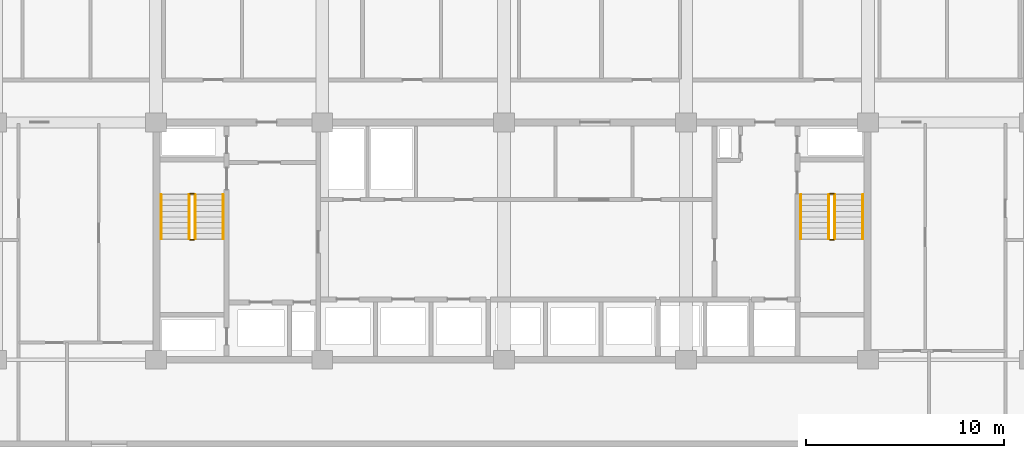
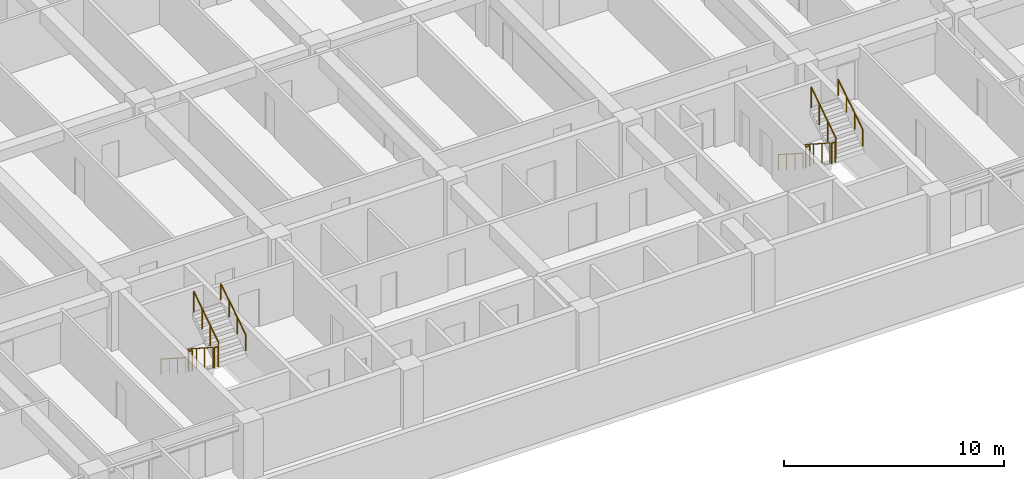
# One storey, part 22 of 23: 12 railings.
"""IFC4 building model written with IfcOpenShell, lengths in metres."""

from ifc_helpers import new_model, si_unit, direction, frame, origin, origin_2d, place, context, subcontext, project, spatial, circle, extrude, material, type_object, element, save


model = new_model("IFC4")

# Units and contexts
model_context = context("Model", 3, precision=1e-05, world=origin(), true_north=direction((0.0, 1.0)))
body_context = subcontext(model_context, "Body", "Model", "MODEL_VIEW")
ifc_project = project(units=[si_unit("LENGTHUNIT", "METRE"), si_unit("AREAUNIT", "SQUARE_METRE"), si_unit("VOLUMEUNIT", "CUBIC_METRE"), si_unit("PLANEANGLEUNIT", "RADIAN"), si_unit("MASSUNIT", "GRAM", prefix="KILO")], contexts=[model_context])

# Site, building, storey
site_placement = place(None, origin())
site = spatial("IfcSite", under=ifc_project, at=site_placement, CompositionType="ELEMENT")
building_placement = place(site_placement, origin())
building = spatial("IfcBuilding", under=site, at=building_placement, Name="Korimba Cascade Residences", CompositionType="ELEMENT")
storey_placement = place(building_placement, frame((0.0, 0.0, 27.25)))
storey = spatial("IfcBuildingStorey", under=building, at=storey_placement, Name="L06", CompositionType="ELEMENT", Elevation=27.25)

# Railings
ifc_material_1 = material(Name="Painted Steel Stairwell Guardrail", Category="steel")
railing_type_1 = type_object("IfcRailingType", Name="RLG-ST-GD1150", PredefinedType="GUARDRAIL", material=ifc_material_1)
railing_1_placement = place(storey_placement, frame((77.77001953125, 63.550048828125, 0.1806640625)))
element("IfcRailing", 1, at=railing_1_placement, inside=storey, type_object=railing_type_1, Name="L06 ST-W1 stair guard 1", PredefinedType="GUARDRAIL", context=body_context, shape_type="SweptSolid", body=[
    extrude(circle(Radius=0.02392578125, at=origin_2d()), frame((0.0, 0.0, 1.1259765625), z_axis=(0.0, -0.840436612492, 0.541909863706), x_axis=(1.0, 0.0, 0.0)), (0.0, 0.0, 1.0), 2.665283203125),
    extrude(circle(Radius=0.02099609375, at=origin_2d()), origin(), (0.0, 0.0, 1.0), 1.101806640625),
    extrude(circle(Radius=0.02099609375, at=origin_2d()), frame((0.0, -0.74658203125, 0.4814453125)), (0.0, 0.0, 1.0), 1.101806640625),
    extrude(circle(Radius=0.02099609375, at=origin_2d()), frame((0.0, -1.493408203125, 0.962890625)), (0.0, 0.0, 1.0), 1.101806640625),
    extrude(circle(Radius=0.02099609375, at=origin_2d()), frame((0.0, -2.239990234375, 1.4443359375)), (0.0, 0.0, 1.0), 1.101806640625),
])
railing_2_placement = place(storey_placement, frame((77.820068359375, 61.260009765625, 1.625)))
element("IfcRailing", 2, at=railing_2_placement, inside=storey, type_object=railing_type_1, Name="L06 ST-W1 stair guard 2", PredefinedType="GUARDRAIL", context=body_context, shape_type="SweptSolid", body=[
    extrude(circle(Radius=0.02392578125, at=origin_2d()), frame((0.0, 0.0, 1.1259765625), z_axis=(1.0, 0.0, 0.0), x_axis=(0.0, 1.0, 0.0)), (0.0, 0.0, 1.0), 0.199951171875),
    extrude(circle(Radius=0.02099609375, at=origin_2d()), origin(), (0.0, 0.0, 1.0), 1.101806640625),
    extrude(circle(Radius=0.02099609375, at=origin_2d()), frame((0.199951171875, 0.0, 0.0)), (0.0, 0.0, 1.0), 1.101806640625),
])
railing_3_placement = place(storey_placement, frame((78.070068359375, 61.31005859375, 1.8056640625)))
element("IfcRailing", 3, at=railing_3_placement, inside=storey, type_object=railing_type_1, Name="L06 ST-W1 stair guard 3", PredefinedType="GUARDRAIL", context=body_context, shape_type="SweptSolid", body=[
    extrude(circle(Radius=0.02392578125, at=origin_2d()), frame((0.0, 0.0, 1.1259765625), z_axis=(0.0, 0.840436612492, 0.541909863706), x_axis=(-1.0, 0.0, 0.0)), (0.0, 0.0, 1.0), 2.665283203125),
    extrude(circle(Radius=0.02099609375, at=origin_2d()), origin(), (0.0, 0.0, 1.0), 1.101806640625),
    extrude(circle(Radius=0.02099609375, at=origin_2d()), frame((0.0, 0.74658203125, 0.4814453125)), (0.0, 0.0, 1.0), 1.101806640625),
    extrude(circle(Radius=0.02099609375, at=origin_2d()), frame((0.0, 1.493408203125, 0.962890625)), (0.0, 0.0, 1.0), 1.101806640625),
    extrude(circle(Radius=0.02099609375, at=origin_2d()), frame((0.0, 2.239990234375, 1.4443359375)), (0.0, 0.0, 1.0), 1.101806640625),
])
railing_4_placement = place(storey_placement, frame((77.820068359375, 63.60009765625, 0.0)))
element("IfcRailing", 4, at=railing_4_placement, inside=storey, type_object=railing_type_1, Name="L06 ST-W1 stair guard 4", PredefinedType="GUARDRAIL", context=body_context, shape_type="SweptSolid", body=[
    extrude(circle(Radius=0.02392578125, at=origin_2d()), frame((0.0, 0.0, 1.1259765625), z_axis=(1.0, 0.0, 0.0), x_axis=(0.0, 1.0, 0.0)), (0.0, 0.0, 1.0), 0.199951171875),
    extrude(circle(Radius=0.02099609375, at=origin_2d()), origin(), (0.0, 0.0, 1.0), 1.101806640625),
    extrude(circle(Radius=0.02099609375, at=origin_2d()), frame((0.199951171875, 0.0, 0.0)), (0.0, 0.0, 1.0), 1.101806640625),
])
railing_5_placement = place(storey_placement, frame((110.1298828125, 63.550048828125, 0.1806640625)))
element("IfcRailing", 5, at=railing_5_placement, inside=storey, type_object=railing_type_1, Name="L06 ST-W2 stair guard 1", PredefinedType="GUARDRAIL", context=body_context, shape_type="SweptSolid", body=[
    extrude(circle(Radius=0.02392578125, at=origin_2d()), frame((0.0, 0.0, 1.1259765625), z_axis=(0.0, -0.840436612492, 0.541909863706), x_axis=(1.0, 0.0, 0.0)), (0.0, 0.0, 1.0), 2.665283203125),
    extrude(circle(Radius=0.02099609375, at=origin_2d()), origin(), (0.0, 0.0, 1.0), 1.101806640625),
    extrude(circle(Radius=0.02099609375, at=origin_2d()), frame((0.0, -0.74658203125, 0.4814453125)), (0.0, 0.0, 1.0), 1.101806640625),
    extrude(circle(Radius=0.02099609375, at=origin_2d()), frame((0.0, -1.493408203125, 0.962890625)), (0.0, 0.0, 1.0), 1.101806640625),
    extrude(circle(Radius=0.02099609375, at=origin_2d()), frame((0.0, -2.239990234375, 1.4443359375)), (0.0, 0.0, 1.0), 1.101806640625),
])
railing_6_placement = place(storey_placement, frame((110.179931640625, 61.260009765625, 1.625)))
element("IfcRailing", 6, at=railing_6_placement, inside=storey, type_object=railing_type_1, Name="L06 ST-W2 stair guard 2", PredefinedType="GUARDRAIL", context=body_context, shape_type="SweptSolid", body=[
    extrude(circle(Radius=0.02392578125, at=origin_2d()), frame((0.0, 0.0, 1.1259765625), z_axis=(1.0, 0.0, 0.0), x_axis=(0.0, 1.0, 0.0)), (0.0, 0.0, 1.0), 0.199951171875),
    extrude(circle(Radius=0.02099609375, at=origin_2d()), origin(), (0.0, 0.0, 1.0), 1.101806640625),
    extrude(circle(Radius=0.02099609375, at=origin_2d()), frame((0.199951171875, 0.0, 0.0)), (0.0, 0.0, 1.0), 1.101806640625),
])
railing_7_placement = place(storey_placement, frame((110.429931640625, 61.31005859375, 1.8056640625)))
element("IfcRailing", 7, at=railing_7_placement, inside=storey, type_object=railing_type_1, Name="L06 ST-W2 stair guard 3", PredefinedType="GUARDRAIL", context=body_context, shape_type="SweptSolid", body=[
    extrude(circle(Radius=0.02392578125, at=origin_2d()), frame((0.0, 0.0, 1.1259765625), z_axis=(0.0, 0.840436612492, 0.541909863706), x_axis=(-1.0, 0.0, 0.0)), (0.0, 0.0, 1.0), 2.665283203125),
    extrude(circle(Radius=0.02099609375, at=origin_2d()), origin(), (0.0, 0.0, 1.0), 1.101806640625),
    extrude(circle(Radius=0.02099609375, at=origin_2d()), frame((0.0, 0.74658203125, 0.4814453125)), (0.0, 0.0, 1.0), 1.101806640625),
    extrude(circle(Radius=0.02099609375, at=origin_2d()), frame((0.0, 1.493408203125, 0.962890625)), (0.0, 0.0, 1.0), 1.101806640625),
    extrude(circle(Radius=0.02099609375, at=origin_2d()), frame((0.0, 2.239990234375, 1.4443359375)), (0.0, 0.0, 1.0), 1.101806640625),
])
railing_8_placement = place(storey_placement, frame((110.179931640625, 63.60009765625, 0.0)))
element("IfcRailing", 8, at=railing_8_placement, inside=storey, type_object=railing_type_1, Name="L06 ST-W2 stair guard 4", PredefinedType="GUARDRAIL", context=body_context, shape_type="SweptSolid", body=[
    extrude(circle(Radius=0.02392578125, at=origin_2d()), frame((0.0, 0.0, 1.1259765625), z_axis=(1.0, 0.0, 0.0), x_axis=(0.0, 1.0, 0.0)), (0.0, 0.0, 1.0), 0.199951171875),
    extrude(circle(Radius=0.02099609375, at=origin_2d()), origin(), (0.0, 0.0, 1.0), 1.101806640625),
    extrude(circle(Radius=0.02099609375, at=origin_2d()), frame((0.199951171875, 0.0, 0.0)), (0.0, 0.0, 1.0), 1.101806640625),
])
ifc_material_2 = material(Name="Brushed Stainless Steel Handrail", Category="steel")
railing_type_2 = type_object("IfcRailingType", Name="RLG-ST-HR900", PredefinedType="HANDRAIL", material=ifc_material_2)
railing_9_placement = place(storey_placement, frame((76.35009765625, 63.550048828125, 0.364990234375)))
element("IfcRailing", 9, at=railing_9_placement, inside=storey, type_object=railing_type_2, Name="L06 ST-W1 stair handrail 1", PredefinedType="HANDRAIL", context=body_context, shape_type="SweptSolid", body=[
    extrude(circle(Radius=0.02392578125, at=origin_2d()), frame((0.0, 0.0, 0.8759765625), z_axis=(0.0, -0.840436612492, 0.541909863706), x_axis=(1.0, 0.0, 0.0)), (0.0, 0.0, 1.0), 2.665283203125),
    extrude(circle(Radius=0.02099609375, at=origin_2d()), origin(), (0.0, 0.0, 1.0), 0.851806640625),
    extrude(circle(Radius=0.02099609375, at=origin_2d()), frame((0.0, -0.74658203125, 0.4814453125)), (0.0, 0.0, 1.0), 0.851806640625),
    extrude(circle(Radius=0.02099609375, at=origin_2d()), frame((0.0, -1.493408203125, 0.962890625)), (0.0, 0.0, 1.0), 0.851806640625),
    extrude(circle(Radius=0.02099609375, at=origin_2d()), frame((0.0, -2.239990234375, 1.4443359375)), (0.0, 0.0, 1.0), 0.851806640625),
])
railing_10_placement = place(storey_placement, frame((79.489990234375, 61.31005859375, 1.989990234375)))
element("IfcRailing", 10, at=railing_10_placement, inside=storey, type_object=railing_type_2, Name="L06 ST-W1 stair handrail 2", PredefinedType="HANDRAIL", context=body_context, shape_type="SweptSolid", body=[
    extrude(circle(Radius=0.02392578125, at=origin_2d()), frame((0.0, 0.0, 0.8759765625), z_axis=(0.0, 0.840436612492, 0.541909863706), x_axis=(-1.0, 0.0, 0.0)), (0.0, 0.0, 1.0), 2.665283203125),
    extrude(circle(Radius=0.02099609375, at=origin_2d()), origin(), (0.0, 0.0, 1.0), 0.851806640625),
    extrude(circle(Radius=0.02099609375, at=origin_2d()), frame((0.0, 0.74658203125, 0.4814453125)), (0.0, 0.0, 1.0), 0.851806640625),
    extrude(circle(Radius=0.02099609375, at=origin_2d()), frame((0.0, 1.493408203125, 0.962890625)), (0.0, 0.0, 1.0), 0.851806640625),
    extrude(circle(Radius=0.02099609375, at=origin_2d()), frame((0.0, 2.239990234375, 1.4443359375)), (0.0, 0.0, 1.0), 0.851806640625),
])
railing_11_placement = place(storey_placement, frame((108.7099609375, 63.550048828125, 0.364990234375)))
element("IfcRailing", 11, at=railing_11_placement, inside=storey, type_object=railing_type_2, Name="L06 ST-W2 stair handrail 1", PredefinedType="HANDRAIL", context=body_context, shape_type="SweptSolid", body=[
    extrude(circle(Radius=0.02392578125, at=origin_2d()), frame((0.0, 0.0, 0.8759765625), z_axis=(0.0, -0.840436612492, 0.541909863706), x_axis=(1.0, 0.0, 0.0)), (0.0, 0.0, 1.0), 2.665283203125),
    extrude(circle(Radius=0.02099609375, at=origin_2d()), origin(), (0.0, 0.0, 1.0), 0.851806640625),
    extrude(circle(Radius=0.02099609375, at=origin_2d()), frame((0.0, -0.74658203125, 0.4814453125)), (0.0, 0.0, 1.0), 0.851806640625),
    extrude(circle(Radius=0.02099609375, at=origin_2d()), frame((0.0, -1.493408203125, 0.962890625)), (0.0, 0.0, 1.0), 0.851806640625),
    extrude(circle(Radius=0.02099609375, at=origin_2d()), frame((0.0, -2.239990234375, 1.4443359375)), (0.0, 0.0, 1.0), 0.851806640625),
])
railing_12_placement = place(storey_placement, frame((111.85009765625, 61.31005859375, 1.989990234375)))
element("IfcRailing", 12, at=railing_12_placement, inside=storey, type_object=railing_type_2, Name="L06 ST-W2 stair handrail 2", PredefinedType="HANDRAIL", context=body_context, shape_type="SweptSolid", body=[
    extrude(circle(Radius=0.02392578125, at=origin_2d()), frame((0.0, 0.0, 0.8759765625), z_axis=(0.0, 0.840436612492, 0.541909863706), x_axis=(-1.0, 0.0, 0.0)), (0.0, 0.0, 1.0), 2.665283203125),
    extrude(circle(Radius=0.02099609375, at=origin_2d()), origin(), (0.0, 0.0, 1.0), 0.851806640625),
    extrude(circle(Radius=0.02099609375, at=origin_2d()), frame((0.0, 0.74658203125, 0.4814453125)), (0.0, 0.0, 1.0), 0.851806640625),
    extrude(circle(Radius=0.02099609375, at=origin_2d()), frame((0.0, 1.493408203125, 0.962890625)), (0.0, 0.0, 1.0), 0.851806640625),
    extrude(circle(Radius=0.02099609375, at=origin_2d()), frame((0.0, 2.239990234375, 1.4443359375)), (0.0, 0.0, 1.0), 0.851806640625),
])

save(model, "model.ifc")
